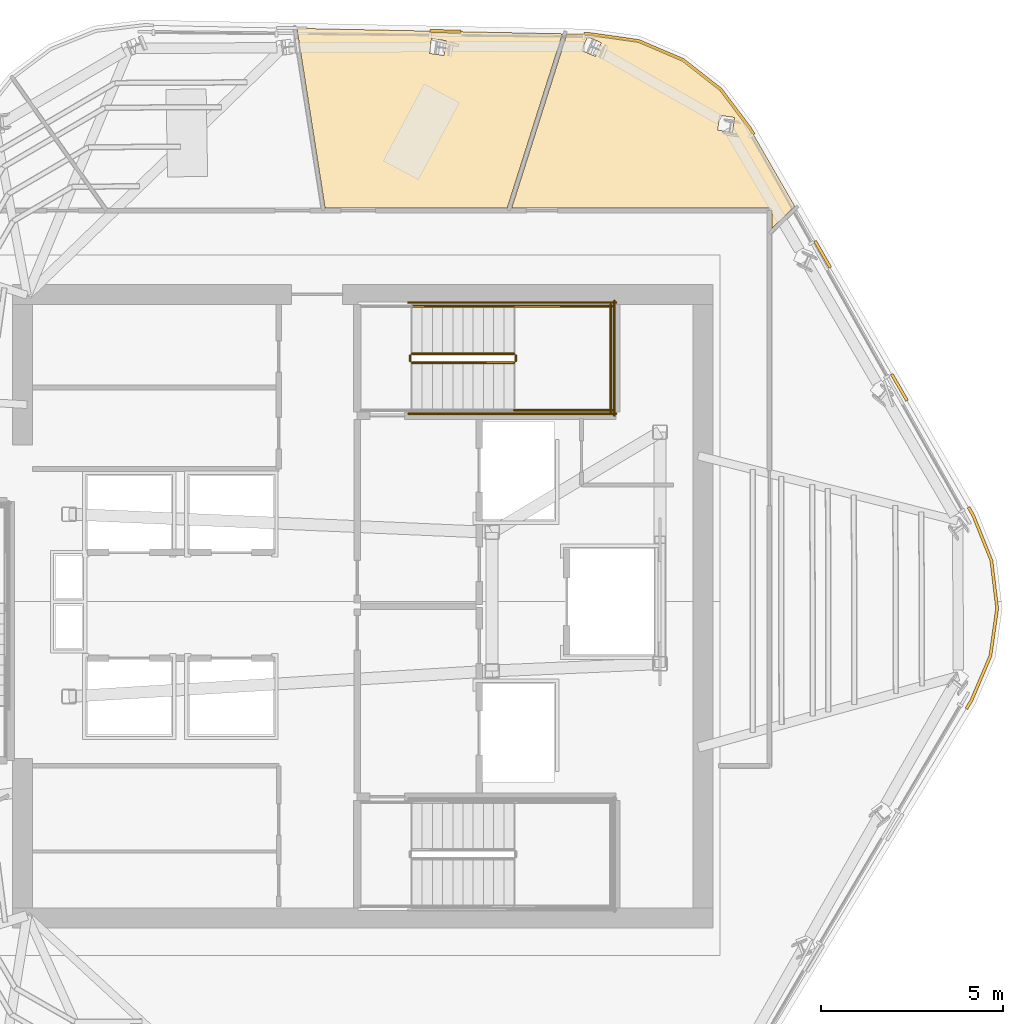
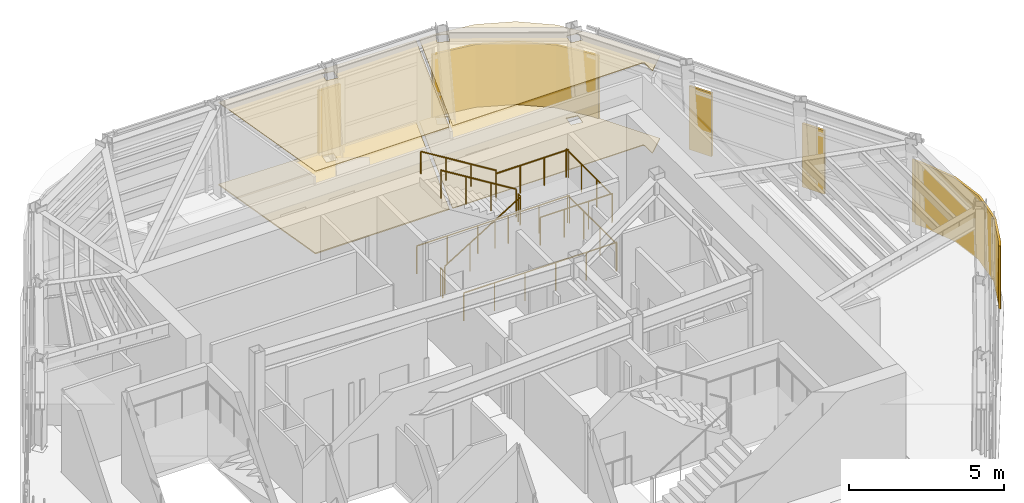
# One storey, part 12 of 13: 11 railings, 9 coverings.
"""IFC4 building model written with IfcOpenShell, lengths in metres."""

from ifc_helpers import new_model, si_unit, direction, frame, origin, origin_2d, place, context, subcontext, project, spatial, polyline, circle, outline, extrude, material, layer, layer_set, type_object, element, save


model = new_model("IFC4")

# Units and contexts
model_context = context("Model", 3, precision=1e-05, world=origin(), true_north=direction((0.0, 1.0)))
body_context = subcontext(model_context, "Body", "Model", "MODEL_VIEW")
ifc_project = project(units=[si_unit("LENGTHUNIT", "METRE"), si_unit("AREAUNIT", "SQUARE_METRE"), si_unit("VOLUMEUNIT", "CUBIC_METRE"), si_unit("PLANEANGLEUNIT", "RADIAN"), si_unit("MASSUNIT", "GRAM", prefix="KILO")], contexts=[model_context])

# Site, building, storey
site_placement = place(None, origin())
site = spatial("IfcSite", under=ifc_project, at=site_placement, CompositionType="ELEMENT")
building_placement = place(site_placement, origin())
building = spatial("IfcBuilding", under=site, at=building_placement, Name="Valkerne Bourse Tower", CompositionType="ELEMENT")
storey_placement = place(building_placement, frame((0.0, 0.0, 281.199951171875)))
storey = spatial("IfcBuildingStorey", under=building, at=storey_placement, Name="L71", CompositionType="ELEMENT", Elevation=281.199951171875)

# Coverings
ifc_material_1 = material(Name="Mineral Fiber Acoustic Ceiling Tile", Category="acoustic")
ifc_layer_1 = layer(ifc_material_1, 0.02490234375)
ifc_layer_set_1 = layer_set([ifc_layer_1], Name="Mineral Fiber Acoustic Ceiling Tile")
covering_type_1 = type_object("IfcCoveringType", Name="COV-CEIL-ACT", PredefinedType="CEILING", material=ifc_layer_set_1)
covering_1_placement = place(storey_placement, frame((0.0, 0.0, 3.25)))
element("IfcCovering", 1, at=covering_1_placement, inside=storey, type_object=covering_type_1, Name="L71 Suspended Ceiling 04", PredefinedType="CEILING", context=body_context, shape_type="SweptSolid", body=[
    extrude(outline(polyline([(55.581298828125, 41.84814453125), (56.619384765625, 41.033935546875), (57.41796875, 39.970458984375), (58.645751953125, 37.841064453125), (58.01904296875, 37.24169921875), (58.018310546875, 37.72998046875), (57.996826171875, 37.77099609375), (57.95458984375, 37.788818359375), (50.884521484375, 37.7890625), (52.39990234375, 42.56640625), (53.05078125, 42.552978515625), (54.3671875, 42.36572265625), (55.581298828125, 41.84814453125)]), holes=[polyline([(56.993896484375, 40.274169921875), (56.58935546875, 40.331787109375), (56.53125, 39.929443359375), (56.533203125, 39.927978515625), (56.937744140625, 39.870361328125), (56.995849609375, 40.272705078125), (56.993896484375, 40.274169921875)]), polyline([(53.340087890625, 42.32470703125), (52.96728515625, 42.4853515625), (52.965087890625, 42.486328125), (52.80322265625, 42.110595703125), (53.17578125, 41.949951171875), (53.177978515625, 41.948974609375), (53.340087890625, 42.32470703125)])]), origin(), (0.0, 0.0, 1.0), 0.025146484375),
])
covering_2_placement = place(storey_placement, frame((0.0, 0.0, 3.25)))
element("IfcCovering", 2, at=covering_2_placement, inside=storey, type_object=covering_type_1, Name="L71 Suspended Ceiling 05", PredefinedType="CEILING", context=body_context, shape_type="SweptSolid", body=[
    extrude(outline(polyline([(45.770263671875, 37.7890625), (44.99853515625, 42.717041015625), (52.27685546875, 42.56884765625), (50.760498046875, 37.7890625), (45.770263671875, 37.7890625)]), holes=[polyline([(48.69091796875, 42.4375), (48.688720703125, 42.43798828125), (48.627197265625, 42.033203125), (49.028564453125, 41.97216796875), (49.03076171875, 41.971923828125), (49.09228515625, 42.376708984375), (48.69091796875, 42.4375)])]), origin(), (0.0, 0.0, 1.0), 0.025146484375),
])
ifc_material_2 = material(Name="Bronze Anodised Aluminium AA 6063-T6", Category="aluminium")
ifc_layer_2 = layer(ifc_material_2, 0.06005859375)
ifc_layer_set_2 = layer_set([ifc_layer_2], Name="Bronze Anodised Aluminium AA 6063-T6")
covering_type_2 = type_object("IfcCoveringType", Name="COV-CRN-ALUM", PredefinedType="CLADDING", material=ifc_layer_set_2)
covering_3_placement = place(storey_placement, origin())
element("IfcCovering", 3, at=covering_3_placement, inside=storey, type_object=covering_type_2, Name="L71 Wind-Shaped Corner Aluminium Cladding 01", PredefinedType="CLADDING", context=body_context, shape_type="SweptSolid", body=[
    extrude(outline(polyline([(64.07373046875, 28.138916015625), (64.233642578125, 26.8173828125), (64.046142578125, 25.49951171875), (63.521484375, 24.26953125), (63.30908203125, 23.91845703125), (63.3837890625, 24.044677734375), (63.316162109375, 24.084716796875), (63.4501953125, 24.30615234375), (63.968505859375, 25.521240234375), (64.153076171875, 26.818359375), (63.99560546875, 28.118896484375), (63.5029296875, 29.344482421875), (63.37353515625, 29.56884765625), (63.44189453125, 29.607421875), (63.3671875, 29.739990234375), (63.574951171875, 29.379638671875), (64.07373046875, 28.138916015625)])), origin(), (0.0, 0.0, 1.0), 2.5),
])
covering_4_placement = place(storey_placement, origin())
element("IfcCovering", 4, at=covering_4_placement, inside=storey, type_object=covering_type_2, Name="L71 Wind-Shaped Corner Aluminium Cladding 15", PredefinedType="CLADDING", context=body_context, shape_type="SweptSolid", body=[
    extrude(outline(polyline([(49.490234375, 42.669677734375), (49.4892578125, 42.589599609375), (48.6494140625, 42.606689453125), (48.650390625, 42.686767578125), (49.490234375, 42.669677734375)])), origin(), (0.0, 0.0, 1.0), 2.5),
])
covering_5_placement = place(storey_placement, origin())
element("IfcCovering", 5, at=covering_5_placement, inside=storey, type_object=covering_type_2, Name="L71 Wind-Shaped Corner Aluminium Cladding 16", PredefinedType="CLADDING", context=body_context, shape_type="SweptSolid", body=[
    extrude(outline(polyline([(53.054443359375, 42.596923828125), (54.37939453125, 42.40869140625), (55.603759765625, 41.88623046875), (56.651123046875, 41.06494140625), (57.454833984375, 39.99462890625), (57.551025390625, 39.827880859375), (57.481201171875, 39.78857421875), (57.387939453125, 39.950439453125), (56.593505859375, 41.008544921875), (55.562744140625, 41.81689453125), (54.357666015625, 42.330810546875), (53.0478515625, 42.51708984375), (52.86083984375, 42.52099609375), (52.86181640625, 42.60107421875), (53.054443359375, 42.596923828125)])), origin(), (0.0, 0.0, 1.0), 2.5),
])
covering_6_placement = place(storey_placement, origin())
element("IfcCovering", 6, at=covering_6_placement, inside=storey, type_object=covering_type_2, Name="L71 Wind-Shaped Corner Aluminium Cladding 17", PredefinedType="CLADDING", context=body_context, shape_type="SweptSolid", body=[
    extrude(outline(polyline([(59.655029296875, 36.1787109375), (59.585205078125, 36.139404296875), (59.165771484375, 36.8671875), (59.2353515625, 36.906494140625), (59.655029296875, 36.1787109375)])), origin(), (0.0, 0.0, 1.0), 2.5),
])
covering_7_placement = place(storey_placement, origin())
element("IfcCovering", 7, at=covering_7_placement, inside=storey, type_object=covering_type_2, Name="L71 Wind-Shaped Corner Aluminium Cladding 18", PredefinedType="CLADDING", context=body_context, shape_type="SweptSolid", body=[
    extrude(outline(polyline([(61.759033203125, 32.529541015625), (61.689208984375, 32.490234375), (61.269775390625, 33.218017578125), (61.33935546875, 33.257080078125), (61.759033203125, 32.529541015625)])), origin(), (0.0, 0.0, 1.0), 2.5),
])
ifc_material_3 = material(Name="Galvanised Painted Steel", Category="steel")
ifc_layer_3 = layer(ifc_material_3, 0.044921875)
ifc_layer_set_3 = layer_set([ifc_layer_3], Name="Galvanised Painted Steel")
covering_type_3 = type_object("IfcCoveringType", Name="COV-FLR-RAF", PredefinedType="FLOORING", material=ifc_layer_set_3)
covering_8_placement = place(storey_placement, origin())
element("IfcCovering", 8, at=covering_8_placement, inside=storey, type_object=covering_type_3, Name="L71 Floor Finish 05", PredefinedType="FLOORING", context=body_context, shape_type="SweptSolid", body=[
    extrude(outline(polyline([(45.770263671875, 37.7890625), (44.99853515625, 42.717041015625), (52.27685546875, 42.56884765625), (50.760498046875, 37.7890625), (45.770263671875, 37.7890625)]), holes=[polyline([(48.69091796875, 42.4375), (48.688720703125, 42.43798828125), (48.627197265625, 42.033203125), (49.028564453125, 41.97216796875), (49.03076171875, 41.971923828125), (49.09228515625, 42.376708984375), (48.69091796875, 42.4375)])]), origin(), (0.0, 0.0, 1.0), 0.045166015625),
])
ifc_material_4 = material(Name="Polished Granite Stone", Category="masonry")
ifc_layer_4 = layer(ifc_material_4, 0.030029296875)
ifc_layer_set_4 = layer_set([ifc_layer_4], Name="Polished Granite Stone")
covering_type_4 = type_object("IfcCoveringType", Name="COV-FLR-TERRAZZO", PredefinedType="FLOORING", material=ifc_layer_set_4)
covering_9_placement = place(storey_placement, origin())
element("IfcCovering", 9, at=covering_9_placement, inside=storey, type_object=covering_type_4, Name="L71 Floor Finish 04", PredefinedType="FLOORING", context=body_context, shape_type="SweptSolid", body=[
    extrude(outline(polyline([(55.581298828125, 41.84814453125), (56.619384765625, 41.033935546875), (57.41796875, 39.970458984375), (58.645751953125, 37.841064453125), (58.01904296875, 37.24169921875), (58.018310546875, 37.72998046875), (57.996826171875, 37.77099609375), (57.95458984375, 37.788818359375), (50.884521484375, 37.7890625), (52.39990234375, 42.56640625), (53.05078125, 42.552978515625), (54.3671875, 42.36572265625), (55.581298828125, 41.84814453125)]), holes=[polyline([(56.993896484375, 40.274169921875), (56.58935546875, 40.331787109375), (56.53125, 39.929443359375), (56.533203125, 39.927978515625), (56.937744140625, 39.870361328125), (56.995849609375, 40.272705078125), (56.993896484375, 40.274169921875)]), polyline([(53.340087890625, 42.32470703125), (52.96728515625, 42.4853515625), (52.965087890625, 42.486328125), (52.80322265625, 42.110595703125), (53.17578125, 41.949951171875), (53.177978515625, 41.948974609375), (53.340087890625, 42.32470703125)])]), origin(), (0.0, 0.0, 1.0), 0.030029296875),
])

# Railings
railing_type_1 = type_object("IfcRailingType", Name="RLG-ST-GUARD-1120", PredefinedType="GUARDRAIL", material=ifc_material_3)
railing_1_placement = place(storey_placement, frame((48.14990234375, 33.550048828125, 0.1728515625)))
element("IfcRailing", 10, at=railing_1_placement, inside=storey, type_object=railing_type_1, Name="L71 ST-2 stair guard 1", PredefinedType="GUARDRAIL", context=body_context, shape_type="SweptSolid", body=[
    extrude(circle(Radius=0.02392578125, at=origin_2d()), frame((0.0, 0.0, 1.09619140625), z_axis=(0.851089632645, 0.0, 0.525020415988), x_axis=(0.0, 1.0, 0.0)), (0.0, 0.0, 1.0), 3.2900390625),
    extrude(circle(Radius=0.02099609375, at=origin_2d()), origin(), (0.0, 0.0, 1.0), 1.072021484375),
    extrude(circle(Radius=0.02099609375, at=origin_2d()), frame((0.933349609375, 0.0, 0.57568359375)), (0.0, 0.0, 1.0), 1.072021484375),
    extrude(circle(Radius=0.02099609375, at=origin_2d()), frame((1.86669921875, 0.0, 1.151611328125)), (0.0, 0.0, 1.0), 1.072021484375),
    extrude(circle(Radius=0.02099609375, at=origin_2d()), frame((2.800048828125, 0.0, 1.727294921875)), (0.0, 0.0, 1.0), 1.072021484375),
])
railing_2_placement = place(storey_placement, frame((51.0, 33.60009765625, 1.900146484375)))
element("IfcRailing", 11, at=railing_2_placement, inside=storey, type_object=railing_type_1, Name="L71 ST-2 stair guard 2", PredefinedType="GUARDRAIL", context=body_context, shape_type="SweptSolid", body=[
    extrude(circle(Radius=0.02392578125, at=origin_2d()), frame((0.0, 0.0, 1.09619140625), z_axis=(0.0, 1.0, 0.0), x_axis=(-1.0, 0.0, 0.0)), (0.0, 0.0, 1.0), 0.14990234375),
    extrude(circle(Radius=0.02099609375, at=origin_2d()), origin(), (0.0, 0.0, 1.0), 1.072021484375),
    extrude(circle(Radius=0.02099609375, at=origin_2d()), frame((0.0, 0.14990234375, 0.0)), (0.0, 0.0, 1.0), 1.072021484375),
])
for number, where, name in (
    (12, (50.949951171875, 32.25, 1.900146484375), "L71 ST-2 stair guard 3"),
    (13, (50.949951171875, 35.10009765625, 1.900146484375), "L71 ST-2 stair guard 4"),
):
    element("IfcRailing", number, at=place(storey_placement, frame(where)), inside=storey, type_object=railing_type_1, Name=name, PredefinedType="GUARDRAIL", context=body_context, shape_type="SweptSolid", body=[
        extrude(circle(Radius=0.02392578125, at=origin_2d()), frame((0.0, 0.0, 1.09619140625), z_axis=(1.0, 0.0, 0.0), x_axis=(0.0, 1.0, 0.0)), (0.0, 0.0, 1.0), 2.699951171875),
        extrude(circle(Radius=0.02099609375, at=origin_2d()), origin(), (0.0, 0.0, 1.0), 1.072021484375),
        extrude(circle(Radius=0.02099609375, at=origin_2d()), frame((0.89990234375, 0.0, 0.0)), (0.0, 0.0, 1.0), 1.072021484375),
        extrude(circle(Radius=0.02099609375, at=origin_2d()), frame((1.800048828125, 0.0, 0.0)), (0.0, 0.0, 1.0), 1.072021484375),
        extrude(circle(Radius=0.02099609375, at=origin_2d()), frame((2.699951171875, 0.0, 0.0)), (0.0, 0.0, 1.0), 1.072021484375),
    ])
railing_3_placement = place(storey_placement, frame((53.60009765625, 32.199951171875, 1.900146484375)))
element("IfcRailing", 14, at=railing_3_placement, inside=storey, type_object=railing_type_1, Name="L71 ST-2 stair guard 5", PredefinedType="GUARDRAIL", context=body_context, shape_type="SweptSolid", body=[
    extrude(circle(Radius=0.02392578125, at=origin_2d()), frame((0.0, 0.0, 1.09619140625), z_axis=(0.0, 1.0, 0.0), x_axis=(-1.0, 0.0, 0.0)), (0.0, 0.0, 1.0), 2.949951171875),
    extrude(circle(Radius=0.02099609375, at=origin_2d()), origin(), (0.0, 0.0, 1.0), 1.072021484375),
    extrude(circle(Radius=0.02099609375, at=origin_2d()), frame((0.0, 0.9833984375, 0.0)), (0.0, 0.0, 1.0), 1.072021484375),
    extrude(circle(Radius=0.02099609375, at=origin_2d()), frame((0.0, 1.966552734375, 0.0)), (0.0, 0.0, 1.0), 1.072021484375),
    extrude(circle(Radius=0.02099609375, at=origin_2d()), frame((0.0, 2.949951171875, 0.0)), (0.0, 0.0, 1.0), 1.072021484375),
])
railing_4_placement = place(storey_placement, frame((50.949951171875, 33.800048828125, 2.07275390625)))
element("IfcRailing", 15, at=railing_4_placement, inside=storey, type_object=railing_type_1, Name="L71 ST-2 stair guard 6", PredefinedType="GUARDRAIL", context=body_context, shape_type="SweptSolid", body=[
    extrude(circle(Radius=0.02392578125, at=origin_2d()), frame((0.0, 0.0, 1.09619140625), z_axis=(-0.851089632645, 0.0, 0.525020415988), x_axis=(0.0, -1.0, 0.0)), (0.0, 0.0, 1.0), 3.2900390625),
    extrude(circle(Radius=0.02099609375, at=origin_2d()), origin(), (0.0, 0.0, 1.0), 1.072021484375),
    extrude(circle(Radius=0.02099609375, at=origin_2d()), frame((-0.933349609375, 0.0, 0.57568359375)), (0.0, 0.0, 1.0), 1.072021484375),
    extrude(circle(Radius=0.02099609375, at=origin_2d()), frame((-1.86669921875, 0.0, 1.151611328125)), (0.0, 0.0, 1.0), 1.072021484375),
    extrude(circle(Radius=0.02099609375, at=origin_2d()), frame((-2.800048828125, 0.0, 1.727294921875)), (0.0, 0.0, 1.0), 1.072021484375),
])
railing_5_placement = place(storey_placement, frame((48.10009765625, 33.60009765625, 0.0)))
element("IfcRailing", 16, at=railing_5_placement, inside=storey, type_object=railing_type_1, Name="L71 ST-2 stair guard 7", PredefinedType="GUARDRAIL", context=body_context, shape_type="SweptSolid", body=[
    extrude(circle(Radius=0.02392578125, at=origin_2d()), frame((0.0, 0.0, 1.09619140625), z_axis=(0.0, 1.0, 0.0), x_axis=(-1.0, 0.0, 0.0)), (0.0, 0.0, 1.0), 0.14990234375),
    extrude(circle(Radius=0.02099609375, at=origin_2d()), origin(), (0.0, 0.0, 1.0), 1.072021484375),
    extrude(circle(Radius=0.02099609375, at=origin_2d()), frame((0.0, 0.14990234375, 0.0)), (0.0, 0.0, 1.0), 1.072021484375),
])
for number, where, name in (
    (17, (48.050048828125, 32.14990234375, 0.0), "L71 ST-2 stair guard 10"),
    (18, (48.050048828125, 35.199951171875, 0.0), "L71 ST-2 stair guard 11"),
):
    element("IfcRailing", number, at=place(storey_placement, frame(where)), inside=storey, type_object=railing_type_1, Name=name, PredefinedType="GUARDRAIL", context=body_context, shape_type="SweptSolid", body=[
        extrude(circle(Radius=0.02392578125, at=origin_2d()), frame((0.0, 0.0, 1.09619140625), z_axis=(1.0, 0.0, 0.0), x_axis=(0.0, 1.0, 0.0)), (0.0, 0.0, 1.0), 5.699951171875),
        extrude(circle(Radius=0.02099609375, at=origin_2d()), origin(), (0.0, 0.0, 1.0), 1.072021484375),
        extrude(circle(Radius=0.02099609375, at=origin_2d()), frame((1.139892578125, 0.0, 0.0)), (0.0, 0.0, 1.0), 1.072021484375),
        extrude(circle(Radius=0.02099609375, at=origin_2d()), frame((2.280029296875, 0.0, 0.0)), (0.0, 0.0, 1.0), 1.072021484375),
        extrude(circle(Radius=0.02099609375, at=origin_2d()), frame((3.419921875, 0.0, 0.0)), (0.0, 0.0, 1.0), 1.072021484375),
        extrude(circle(Radius=0.02099609375, at=origin_2d()), frame((4.56005859375, 0.0, 0.0)), (0.0, 0.0, 1.0), 1.072021484375),
        extrude(circle(Radius=0.02099609375, at=origin_2d()), frame((5.699951171875, 0.0, 0.0)), (0.0, 0.0, 1.0), 1.072021484375),
    ])
railing_6_placement = place(storey_placement, frame((53.699951171875, 32.10009765625, 0.0)))
element("IfcRailing", 19, at=railing_6_placement, inside=storey, type_object=railing_type_1, Name="L71 ST-2 stair guard 12", PredefinedType="GUARDRAIL", context=body_context, shape_type="SweptSolid", body=[
    extrude(circle(Radius=0.02392578125, at=origin_2d()), frame((0.0, 0.0, 1.09619140625), z_axis=(0.0, 1.0, 0.0), x_axis=(-1.0, 0.0, 0.0)), (0.0, 0.0, 1.0), 3.14990234375),
    extrude(circle(Radius=0.02099609375, at=origin_2d()), origin(), (0.0, 0.0, 1.0), 1.072021484375),
    extrude(circle(Radius=0.02099609375, at=origin_2d()), frame((0.0, 1.050048828125, 0.0)), (0.0, 0.0, 1.0), 1.072021484375),
    extrude(circle(Radius=0.02099609375, at=origin_2d()), frame((0.0, 2.099853515625, 0.0)), (0.0, 0.0, 1.0), 1.072021484375),
    extrude(circle(Radius=0.02099609375, at=origin_2d()), frame((0.0, 3.14990234375, 0.0)), (0.0, 0.0, 1.0), 1.072021484375),
])
ifc_material_5 = material(Name="Stainless Steel AISI 316", Category="steel")
railing_type_2 = type_object("IfcRailingType", Name="RLG-ST-HANDRAIL-900", PredefinedType="HANDRAIL", material=ifc_material_5)
railing_7_placement = place(storey_placement, frame((50.949951171875, 35.10009765625, 2.24560546875)))
element("IfcRailing", 20, at=railing_7_placement, inside=storey, type_object=railing_type_2, Name="L71 ST-2 stair handrail 2", PredefinedType="HANDRAIL", context=body_context, shape_type="SweptSolid", body=[
    extrude(circle(Radius=0.02392578125, at=origin_2d()), frame((0.0, 0.0, 0.8759765625), z_axis=(-0.851122791225, 0.0, 0.524966660138), x_axis=(0.0, -1.0, 0.0)), (0.0, 0.0, 1.0), 3.289794921875),
    extrude(circle(Radius=0.02099609375, at=origin_2d()), origin(), (0.0, 0.0, 1.0), 0.851806640625),
    extrude(circle(Radius=0.02099609375, at=origin_2d()), frame((-0.933349609375, 0.0, 0.57568359375)), (0.0, 0.0, 1.0), 0.851806640625),
    extrude(circle(Radius=0.02099609375, at=origin_2d()), frame((-1.86669921875, 0.0, 1.1513671875)), (0.0, 0.0, 1.0), 0.851806640625),
    extrude(circle(Radius=0.02099609375, at=origin_2d()), frame((-2.800048828125, 0.0, 1.72705078125)), (0.0, 0.0, 1.0), 0.851806640625),
])

save(model, "model.ifc")
